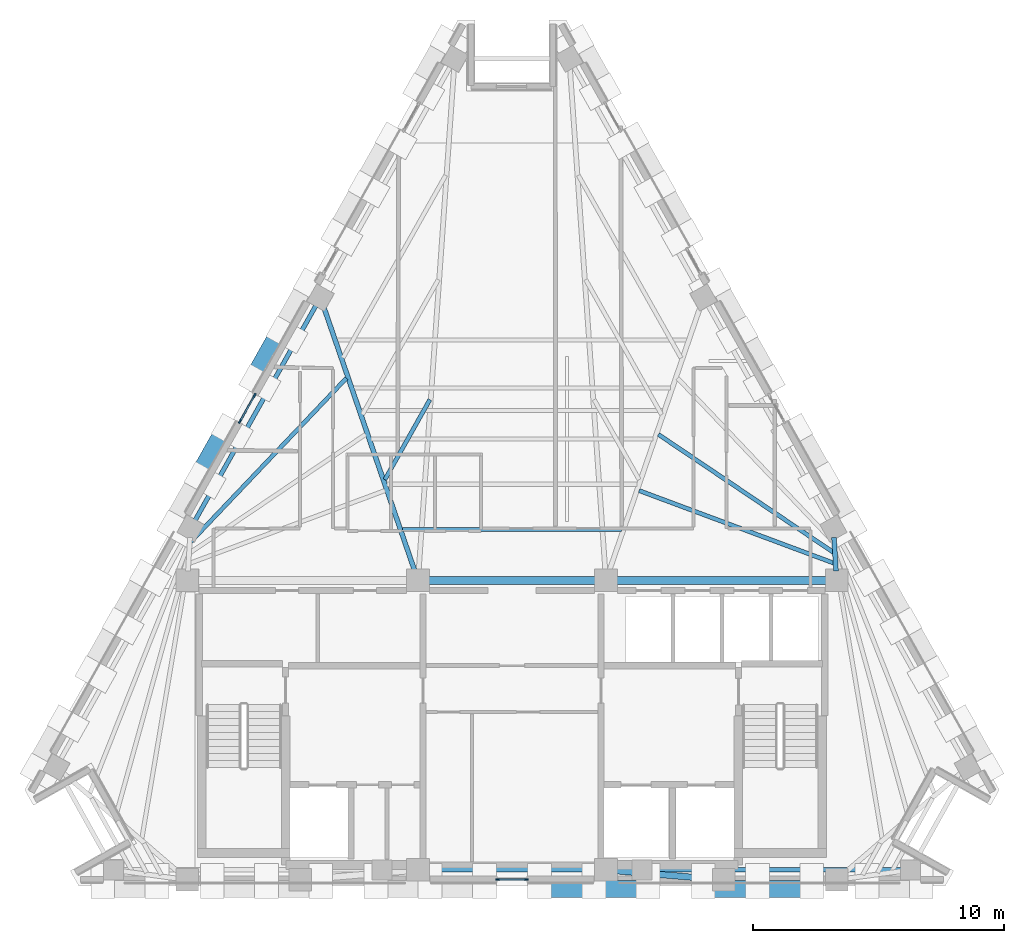
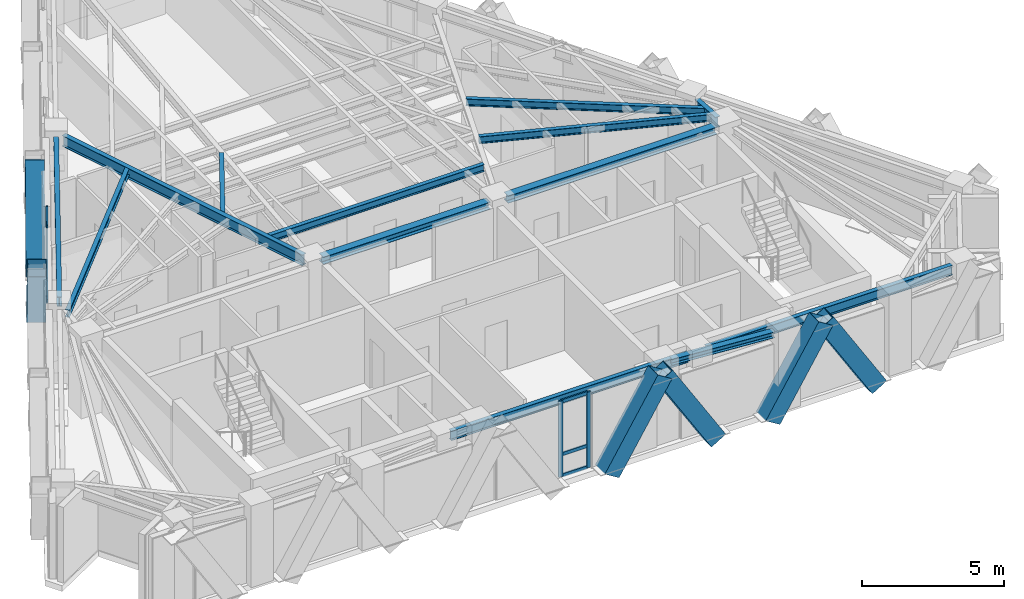
# One storey, part 2 of 9: 16 members, 13 beams, 2 elements without a shape of their own.
"""IFC4 building model written with IfcOpenShell, lengths in metres."""

import ifcopenshell
import ifcopenshell.guid

model = None  # the IFC model being written
_history = None  # IfcOwnerHistory: only IFC2X3 demands one
_inside = {}  # id of a spatial element -> (the spatial element, [elements in it])
_under = {}  # id of a project, library or spatial element -> (it, [spatial elements below it])
_declared = {}  # id of a project -> (the project, [libraries it declares])
_typed = {}  # id of a type object -> (the type object, [elements of that type])
_made_of = {}  # id of a material, layer set ... -> (it, [elements and type objects made of it])


def new_model(schema):
    """Start an empty IFC model of exactly this schema.

    Asked for "IFC4X3", IfcOpenShell would pick the latest addendum, in which some entities
    have other attributes; the version numbers below select the first issue.
    IFC2X3 requires an IfcOwnerHistory on every rooted entity: one is made here for all.
    """
    global model, _history
    if schema == "IFC4X3":
        model = ifcopenshell.file(schema_version=(4, 3, 0, 0))
    else:
        model = ifcopenshell.file(schema=schema)
    _inside.clear()
    _under.clear()
    _declared.clear()
    _typed.clear()
    _made_of.clear()
    _history = None
    if model.schema == "IFC2X3":
        org = make("IfcOrganization", Name="unknown")
        user = make(
            "IfcPersonAndOrganization",
            ThePerson=make("IfcPerson", FamilyName="unknown"),
            TheOrganization=org,
        )
        app = make(
            "IfcApplication",
            ApplicationDeveloper=org,
            Version="unknown",
            ApplicationFullName="unknown",
            ApplicationIdentifier="unknown",
        )
        _history = make(
            "IfcOwnerHistory",
            OwningUser=user,
            OwningApplication=app,
            ChangeAction="ADDED",
            CreationDate=0,
        )
    return model


def make(cls, **values):
    """One entity of the class cls with the attributes given. An attribute that is None is left unset."""
    return model.create_entity(
        cls, **{name: value for name, value in values.items() if value is not None}
    )


def rooted(cls, **values):
    """An entity with a GlobalId (a new one), such as an element, a storey or a relation."""
    return make(cls, GlobalId=ifcopenshell.guid.new(), OwnerHistory=_history, **values)


def si_unit(unit_type, name, prefix=None):
    """IfcSIUnit, for example si_unit("LENGTHUNIT", "METRE", prefix="MILLI")."""
    return make("IfcSIUnit", UnitType=unit_type, Prefix=prefix, Name=name)


def assignment(units):
    """IfcUnitAssignment: the units of a project."""
    return None if units is None else make("IfcUnitAssignment", Units=units)


def point(xyz):
    """IfcCartesianPoint."""
    return None if xyz is None else make("IfcCartesianPoint", Coordinates=xyz)


def direction(xyz):
    """IfcDirection."""
    return None if xyz is None else make("IfcDirection", DirectionRatios=xyz)


def frame(location, z_axis=None, x_axis=None):
    """IfcAxis2Placement3D, a coordinate frame: its origin and axes. An axis left out is left unset."""
    return make(
        "IfcAxis2Placement3D",
        Location=point(location),
        Axis=direction(z_axis),
        RefDirection=direction(x_axis),
    )


def frame_2d(location, x_axis=None):
    """IfcAxis2Placement2D, a coordinate frame in the plane: its origin and x axis."""
    return make(
        "IfcAxis2Placement2D", Location=point(location), RefDirection=direction(x_axis)
    )


def origin():
    """The frame at (0, 0, 0) with its axes left unset."""
    return frame((0.0, 0.0, 0.0))


def origin_2d():
    """The frame at (0, 0) in the plane with its x axis left unset."""
    return frame_2d((0.0, 0.0))


def place(relative_to, where):
    """IfcLocalPlacement: puts the frame where relative to a parent placement (None: the world)."""
    return make(
        "IfcLocalPlacement", PlacementRelTo=relative_to, RelativePlacement=where
    )


def context(
    kind, dimensions, precision=None, world=None, true_north=None, identifier=None
):
    """IfcGeometricRepresentationContext, for example the 3D "Model" context."""
    return make(
        "IfcGeometricRepresentationContext",
        ContextIdentifier=identifier,
        ContextType=kind,
        CoordinateSpaceDimension=dimensions,
        Precision=precision,
        WorldCoordinateSystem=world,
        TrueNorth=true_north,
    )


def subcontext(parent, identifier, kind, view, scale=None):
    """IfcGeometricRepresentationSubContext, for example "Body" below "Model"."""
    return make(
        "IfcGeometricRepresentationSubContext",
        ContextIdentifier=identifier,
        ContextType=kind,
        ParentContext=parent,
        TargetScale=scale,
        TargetView=view,
    )


def project(units=None, contexts=None):
    """IfcProject with its units and contexts."""
    return rooted(
        "IfcProject",
        Name="project",
        RepresentationContexts=contexts,
        UnitsInContext=assignment(units),
    )


def spatial(cls, under=None, at=None, **own):
    """A site, building, storey or space (cls), placed at a placement, below another one or the project."""
    s = rooted(cls, ObjectPlacement=at, **own)
    if under is not None:
        _under.setdefault(under.id(), (under, []))[1].append(s)
    return s


def profile(cls, at=None, kind="AREA", **sizes):
    """A parametric profile (cls). Its sizes go by their IFC names, for example OverallWidth=200.0."""
    return make(cls, ProfileType=kind, Position=at, **sizes)


def rectangle(**sizes):
    """IfcRectangleProfileDef."""
    return profile("IfcRectangleProfileDef", **sizes)


def hollow_rectangle(**sizes):
    """IfcRectangleHollowProfileDef."""
    return profile("IfcRectangleHollowProfileDef", **sizes)


def i_section(**sizes):
    """IfcIShapeProfileDef."""
    return profile("IfcIShapeProfileDef", **sizes)


def extrude(swept, where, along, depth):
    """IfcExtrudedAreaSolid: the profile swept, set in the frame where, extruded along a direction by depth."""
    return make(
        "IfcExtrudedAreaSolid",
        SweptArea=swept,
        Position=where,
        ExtrudedDirection=direction(along),
        Depth=depth,
    )


def shape(context_of_items, identifier, shape_type, items):
    """IfcShapeRepresentation: the items that make up one representation, for example the "Body"."""
    return make(
        "IfcShapeRepresentation",
        ContextOfItems=context_of_items,
        RepresentationIdentifier=identifier,
        RepresentationType=shape_type,
        Items=items,
    )


def material(Name=None, Category=None):
    """IfcMaterial."""
    return make("IfcMaterial", Name=Name, Category=Category)


def material_profile(
    of_material, cross_section, Name=None, Category=None, Priority=None
):
    """IfcMaterialProfile: a cross section and its material."""
    return make(
        "IfcMaterialProfile",
        Name=Name,
        Material=of_material,
        Profile=cross_section,
        Priority=Priority,
        Category=Category,
    )


def profile_set(profiles, Name=None, composite=None):
    """IfcMaterialProfileSet."""
    return make(
        "IfcMaterialProfileSet",
        Name=Name,
        MaterialProfiles=profiles,
        CompositeProfile=composite,
    )


def made_of(thing, what):
    """Note that an element or type object is made of a material, layer set ...; save() writes the relation."""
    if what is not None:
        _made_of.setdefault(what.id(), (what, []))[1].append(thing)
    return thing


def type_object(cls, material=None, **own):
    """A type object (cls), such as IfcWallType, which elements share."""
    return made_of(rooted(cls, **own), material)


def element(
    cls,
    number,
    at=None,
    inside=None,
    cuts=None,
    type_object=None,
    material=None,
    context=None,
    identifier="Body",
    shape_type=None,
    held_by="IfcProductDefinitionShape",
    body=None,
    shapes=None,
    **own,
):
    """One element of the class cls, such as IfcWall. Its Tag is "e" and its number.

    at: its placement. inside: the storey or other place that contains it. cuts: it is an
    opening in that element (IfcRelVoidsElement). A single representation is given by context,
    identifier, shape_type and body (its items); several are given by shapes. held_by: the class
    of the entity that holds the representations. save() writes the other relations.
    """
    e = rooted(cls, Tag="e%d" % number, ObjectPlacement=at, **own)
    if body is not None:
        shapes = [shape(context, identifier, shape_type, body)]
    if shapes is not None:
        e.Representation = make(held_by, Representations=shapes)
    if inside is not None:
        _inside.setdefault(inside.id(), (inside, []))[1].append(e)
    if cuts is not None:
        rooted(
            "IfcRelVoidsElement", RelatingBuildingElement=cuts, RelatedOpeningElement=e
        )
    if type_object is not None:
        _typed.setdefault(type_object.id(), (type_object, []))[1].append(e)
    return made_of(e, material)


def aggregate(whole, parts):
    """IfcRelAggregates: a whole, such as a stair, and the parts it consists of."""
    return rooted("IfcRelAggregates", RelatingObject=whole, RelatedObjects=parts)


def save(model, path):
    """Write the relations noted so far, then the file.

    IfcRelAggregates (storeys below a building ...), IfcRelContainedInSpatialStructure (elements
    in a storey), IfcRelDefinesByType, IfcRelAssociatesMaterial and IfcRelDeclares: one each for
    every whole, place, type object, material and project.
    """
    for whole, parts in _under.values():
        aggregate(whole, parts)
    for where, things in _inside.values():
        rooted(
            "IfcRelContainedInSpatialStructure",
            RelatedElements=things,
            RelatingStructure=where,
        )
    for kind, things in _typed.values():
        rooted("IfcRelDefinesByType", RelatedObjects=things, RelatingType=kind)
    for what, things in _made_of.values():
        rooted("IfcRelAssociatesMaterial", RelatedObjects=things, RelatingMaterial=what)
    for by, libraries in _declared.values():
        rooted("IfcRelDeclares", RelatingContext=by, RelatedDefinitions=libraries)
    model.write(path)


model = new_model("IFC4")

# Units and contexts
model_context = context("Model", 3, precision=1e-05, world=origin(), true_north=direction((0.0, 1.0)))
body_context = subcontext(model_context, "Body", "Model", "MODEL_VIEW")
ifc_project = project(units=[si_unit("LENGTHUNIT", "METRE"), si_unit("AREAUNIT", "SQUARE_METRE"), si_unit("VOLUMEUNIT", "CUBIC_METRE"), si_unit("PLANEANGLEUNIT", "RADIAN"), si_unit("MASSUNIT", "GRAM", prefix="KILO")], contexts=[model_context])

# Site, building, storey
site_placement = place(None, origin())
site = spatial("IfcSite", under=ifc_project, at=site_placement, CompositionType="ELEMENT")
building_placement = place(site_placement, origin())
building = spatial("IfcBuilding", under=site, at=building_placement, Name="Quenlor Broadcast Tower", CompositionType="ELEMENT")
storey_placement = place(building_placement, frame((0.0, 0.0, 235.89990234375)))
storey = spatial("IfcBuildingStorey", under=building, at=storey_placement, Name="L65", CompositionType="ELEMENT", Elevation=235.89990234375)

# Curtain wall, members
ifc_material_1 = material(Name="Architectural Terracotta and Low-E Glazing", Category="masonry")
curtain_wall_type = type_object("IfcCurtainWallType", Name="Unitised Terracotta Curtain Wall System Z5", PredefinedType="NOTDEFINED", material=ifc_material_1)
curtain_wall_1_placement = place(storey_placement, origin())
curtain_wall_1 = element("IfcCurtainWall", 1, at=curtain_wall_1_placement, inside=storey, type_object=curtain_wall_type, Name="L65 Curtain Wall CW5 (L65-S-G1)", PredefinedType="NOTDEFINED")
ifc_material_2 = material(Name="Aluminium 6063-T6", Category="aluminium")
ifc_material_profile_1 = material_profile(ifc_material_2, rectangle(XDim=0.06494140625, YDim=0.169921875, at=origin_2d()))
ifc_profile_set_1 = profile_set([ifc_material_profile_1], Name="Aluminium 6063-T6 MULL65x170")
member_type_1 = type_object("IfcMemberType", Name="CW5 Aluminium Mullion MULL_CW5", PredefinedType="MULLION", material=ifc_profile_set_1)
member_1_placement = place(storey_placement, frame((0.5732421875, -16.72509765625, 0.0), z_axis=(0.0, 0.0, 1.0), x_axis=(0.0, -1.0, 0.0)))
member_1 = element("IfcMember", 2, at=member_1_placement, type_object=member_type_1, Name="CW5 mullion 1", PredefinedType="MULLION", context=body_context, shape_type="SweptSolid", body=[
    extrude(rectangle(XDim=0.06494140625, YDim=0.169921875, at=origin_2d()), origin(), (0.0, 0.0, 1.0), 3.25),
])
member_2_placement = place(storey_placement, frame((-0.5732421875, -16.72509765625, 0.0), z_axis=(0.0, 0.0, 1.0), x_axis=(0.0, -1.0, 0.0)))
member_2 = element("IfcMember", 3, at=member_2_placement, type_object=member_type_1, Name="CW5 mullion 2", PredefinedType="MULLION", context=body_context, shape_type="SweptSolid", body=[
    extrude(rectangle(XDim=0.06494140625, YDim=0.169921875, at=origin_2d()), origin(), (0.0, 0.0, 1.0), 3.25),
])

curtain_wall_2_placement = place(storey_placement, origin())
curtain_wall_2 = element("IfcCurtainWall", 4, at=curtain_wall_2_placement, inside=storey, type_object=curtain_wall_type, Name="L65 Curtain Wall CW5 (L65-NW-G1)", PredefinedType="NOTDEFINED")
member_3_placement = place(storey_placement, frame((-10.853271484375, 1.54443359375, 0.0), z_axis=(0.0, 0.0, 1.0), x_axis=(-0.871592489955, 0.490231100048, 0.0)))
member_3 = element("IfcMember", 5, at=member_3_placement, type_object=member_type_1, Name="CW5 mullion 1", PredefinedType="MULLION", context=body_context, shape_type="SweptSolid", body=[
    extrude(rectangle(XDim=0.06494140625, YDim=0.169921875, at=origin_2d()), origin(), (0.0, 0.0, 1.0), 3.25),
])
member_4_placement = place(storey_placement, frame((-10.267333984375, 2.586181640625, 0.0), z_axis=(0.0, 0.0, 1.0), x_axis=(-0.871592489955, 0.490231100048, 0.0)))
member_4 = element("IfcMember", 6, at=member_4_placement, type_object=member_type_1, Name="CW5 mullion 2", PredefinedType="MULLION", context=body_context, shape_type="SweptSolid", body=[
    extrude(rectangle(XDim=0.06494140625, YDim=0.169921875, at=origin_2d()), origin(), (0.0, 0.0, 1.0), 3.25),
])

# Member
ifc_material_3 = material(Name="Aluminium 6063-T6", Category="aluminium")
ifc_material_profile_2 = material_profile(ifc_material_3, rectangle(XDim=0.06494140625, YDim=0.139892578125, at=origin_2d()))
ifc_profile_set_2 = profile_set([ifc_material_profile_2], Name="Aluminium 6063-T6 TRAN65x140")
member_type_2 = type_object("IfcMemberType", Name="CW5 Aluminium Transom TRAN_CW5", PredefinedType="USERDEFINED", material=ifc_profile_set_2)
member_5_placement = place(storey_placement, frame((0.540771484375, -16.72509765625, 0.03271484375), z_axis=(-1.0, 0.0, 0.0), x_axis=(0.0, -1.0, 0.0)))
member_5 = element("IfcMember", 7, at=member_5_placement, type_object=member_type_2, Name="CW5 transom 1.1", ObjectType="TRANSOM", PredefinedType="USERDEFINED", context=body_context, shape_type="SweptSolid", body=[
    extrude(rectangle(XDim=0.06494140625, YDim=0.139892578125, at=origin_2d()), origin(), (0.0, 0.0, 1.0), 1.08154296875),
])

member_6_placement = place(storey_placement, frame((0.540771484375, -16.72509765625, 0.9501953125), z_axis=(-1.0, 0.0, 0.0), x_axis=(0.0, -1.0, 0.0)))
member_6 = element("IfcMember", 8, at=member_6_placement, type_object=member_type_2, Name="CW5 transom 1.2", ObjectType="TRANSOM", PredefinedType="USERDEFINED", context=body_context, shape_type="SweptSolid", body=[
    extrude(rectangle(XDim=0.06494140625, YDim=0.139892578125, at=origin_2d()), origin(), (0.0, 0.0, 1.0), 1.08154296875),
])

member_7_placement = place(storey_placement, frame((0.540771484375, -16.72509765625, 3.217529296875), z_axis=(-1.0, 0.0, 0.0), x_axis=(0.0, -1.0, 0.0)))
member_7 = element("IfcMember", 9, at=member_7_placement, type_object=member_type_2, Name="CW5 transom 1.3", ObjectType="TRANSOM", PredefinedType="USERDEFINED", context=body_context, shape_type="SweptSolid", body=[
    extrude(rectangle(XDim=0.06494140625, YDim=0.139892578125, at=origin_2d()), origin(), (0.0, 0.0, 1.0), 1.08154296875),
])

aggregate(curtain_wall_1, [member_1, member_2, member_5, member_6, member_7])

member_8_placement = place(storey_placement, frame((-10.83740234375, 1.57275390625, 0.03271484375), z_axis=(0.490312513966, 0.871546693327, 0.0), x_axis=(-0.871546693327, 0.490312513966, 0.0)))
member_8 = element("IfcMember", 10, at=member_8_placement, type_object=member_type_2, Name="CW5 transom 1.1", ObjectType="TRANSOM", PredefinedType="USERDEFINED", context=body_context, shape_type="SweptSolid", body=[
    extrude(rectangle(XDim=0.06494140625, YDim=0.139892578125, at=origin_2d()), origin(), (0.0, 0.0, 1.0), 1.13037109375),
])

member_9_placement = place(storey_placement, frame((-10.83740234375, 1.57275390625, 0.9501953125), z_axis=(0.490312513966, 0.871546693327, 0.0), x_axis=(-0.871546693327, 0.490312513966, 0.0)))
member_9 = element("IfcMember", 11, at=member_9_placement, type_object=member_type_2, Name="CW5 transom 1.2", ObjectType="TRANSOM", PredefinedType="USERDEFINED", context=body_context, shape_type="SweptSolid", body=[
    extrude(rectangle(XDim=0.06494140625, YDim=0.139892578125, at=origin_2d()), origin(), (0.0, 0.0, 1.0), 1.13037109375),
])

member_10_placement = place(storey_placement, frame((-10.83740234375, 1.57275390625, 3.217529296875), z_axis=(0.490312513966, 0.871546693327, 0.0), x_axis=(-0.871546693327, 0.490312513966, 0.0)))
member_10 = element("IfcMember", 12, at=member_10_placement, type_object=member_type_2, Name="CW5 transom 1.3", ObjectType="TRANSOM", PredefinedType="USERDEFINED", context=body_context, shape_type="SweptSolid", body=[
    extrude(rectangle(XDim=0.06494140625, YDim=0.139892578125, at=origin_2d()), origin(), (0.0, 0.0, 1.0), 1.13037109375),
])

aggregate(curtain_wall_2, [member_3, member_4, member_8, member_9, member_10])

# Beams
ifc_material_4 = material(Name="Steel S355", Category="steel")
ifc_material_profile_3 = material_profile(ifc_material_4, i_section(OverallWidth=0.304931640625, OverallDepth=0.30810546875, WebThickness=0.010009765625, FlangeThickness=0.015380859375, FilletRadius=0.0166015625, at=origin_2d()))
ifc_profile_set_3 = profile_set([ifc_material_profile_3], Name="Steel S355 310UC96.8")
beam_type_1 = type_object("IfcBeamType", Name="Core Header Beam Steel S355 310UC96.8", PredefinedType="BEAM", material=ifc_profile_set_3)
beam_1_placement = place(storey_placement, frame((-3.389892578125, -4.800048828125, 3.09619140625), z_axis=(1.0, 0.0, 0.0), x_axis=(0.0, 1.0, 0.0)))
element("IfcBeam", 13, at=beam_1_placement, inside=storey, type_object=beam_type_1, Name="L65 Core Header Beam 2", PredefinedType="BEAM", context=body_context, shape_type="SweptSolid", body=[
    extrude(i_section(OverallWidth=0.304931640625, OverallDepth=0.30810546875, WebThickness=0.010009765625, FlangeThickness=0.015380859375, FilletRadius=0.0166015625, at=origin_2d()), origin(), (0.0, 0.0, 1.0), 6.77978515625),
])
ifc_material_5 = material(Name="Steel S355", Category="steel")
ifc_material_profile_4 = material_profile(ifc_material_5, i_section(OverallWidth=0.25390625, OverallDepth=0.25390625, WebThickness=0.008544921875, FlangeThickness=0.01416015625, FilletRadius=0.013916015625, at=origin_2d()))
ifc_profile_set_4 = profile_set([ifc_material_profile_4], Name="Steel S355 250UC72.9")
beam_type_2 = type_object("IfcBeamType", Name="Core Opening Lintel Beam Steel S355 250UC72.9", PredefinedType="LINTEL", material=ifc_profile_set_4)
beam_2_placement = place(storey_placement, frame((4.108642578125, -16.380615234375, 3.123291015625), z_axis=(0.996399763903, -0.084779186679, 0.0), x_axis=(0.084779186679, 0.996399763903, 0.0)))
element("IfcBeam", 14, at=beam_2_placement, inside=storey, type_object=beam_type_2, Name="L65 Core Opening Lintel Beam 5", PredefinedType="LINTEL", context=body_context, shape_type="SweptSolid", body=[
    extrude(i_section(OverallWidth=0.25390625, OverallDepth=0.25390625, WebThickness=0.008544921875, FlangeThickness=0.01416015625, FilletRadius=0.013916015625, at=origin_2d()), origin(), (0.0, 0.0, 1.0), 3.9970703125),
])
ifc_material_6 = material(Name="Steel S355", Category="steel")
ifc_material_profile_5 = material_profile(ifc_material_6, i_section(OverallWidth=0.306884765625, OverallDepth=0.314697265625, WebThickness=0.011962890625, FlangeThickness=0.018798828125, FilletRadius=0.0166015625, at=origin_2d()))
ifc_profile_set_5 = profile_set([ifc_material_profile_5], Name="Steel S355 310UC118")
beam_type_3 = type_object("IfcBeamType", Name="Core Tie Beam Steel S355 310UC118", PredefinedType="BEAM", material=ifc_profile_set_5)
beam_3_placement = place(storey_placement, frame((4.110107421875, -4.800048828125, 3.0927734375), z_axis=(1.0, 0.0, 0.0), x_axis=(0.0, 1.0, 0.0)))
element("IfcBeam", 15, at=beam_3_placement, inside=storey, type_object=beam_type_3, Name="L65 Core Tie Beam 3", PredefinedType="BEAM", context=body_context, shape_type="SweptSolid", body=[
    extrude(i_section(OverallWidth=0.306884765625, OverallDepth=0.314697265625, WebThickness=0.011962890625, FlangeThickness=0.018798828125, FilletRadius=0.0166015625, at=origin_2d()), origin(), (0.0, 0.0, 1.0), 8.47998046875),
])

# Members
ifc_material_7 = material(Name="Steel S355", Category="steel")
ifc_material_profile_6 = material_profile(ifc_material_7, hollow_rectangle(XDim=0.679931640625, YDim=0.679931640625, WallThickness=0.02001953125, at=origin_2d()))
ifc_profile_set_6 = profile_set([ifc_material_profile_6], Name="Steel S355 RHS680x680x20")
member_type_3 = type_object("IfcMemberType", Name="Perimeter Diagonal Lattice Brace Z5-Crown Steel S355 RHS680x20", PredefinedType="BRACE", material=ifc_profile_set_6)
for number, where, z_axis, x_axis, name in (
    (16, (11.96240234375, -17.1201171875, -0.119873046875), (-0.5236596973, 0.0, 0.851927532965), (0.0, -1.0, 0.0), "L65 Perimeter Diamond Lattice S-C1S"),
    (17, (5.430419921875, -17.1201171875, -0.119873046875), (-0.5236596973, 0.0, 0.851927532965), (0.0, -1.0, 0.0), "L65 Perimeter Diamond Lattice S-C2S"),
):
    element("IfcMember", number, at=place(storey_placement, frame(where, z_axis=z_axis, x_axis=x_axis)), inside=storey, type_object=member_type_3, Name=name, PredefinedType="BRACE", context=body_context, shape_type="SweptSolid", body=[
        extrude(hollow_rectangle(XDim=0.679931640625, YDim=0.679931640625, WallThickness=0.02001953125, at=origin_2d()), origin(), (0.0, 0.0, 1.0), 4.1083984375),
    ])
for number, where, z_axis, x_axis, name in (
    (18, (7.6337890625, -17.1201171875, -0.119873046875), (0.523616565236, 0.0, 0.85195404372), (0.0, 1.0, 0.0), "L65 Perimeter Diamond Lattice S-C2B"),
    (19, (1.101806640625, -17.1201171875, -0.119873046875), (0.523616565236, 0.0, 0.85195404372), (0.0, 1.0, 0.0), "L65 Perimeter Diamond Lattice S-C3B"),
):
    element("IfcMember", number, at=place(storey_placement, frame(where, z_axis=z_axis, x_axis=x_axis)), inside=storey, type_object=member_type_3, Name=name, PredefinedType="BRACE", context=body_context, shape_type="SweptSolid", body=[
        extrude(hollow_rectangle(XDim=0.679931640625, YDim=0.679931640625, WallThickness=0.02001953125, at=origin_2d()), origin(), (0.0, 0.0, 1.0), 4.108154296875),
    ])
for number, where, z_axis, x_axis, name in (
    (20, (-10.35302734375, 3.2392578125, -0.119873046875), (0.260563732169, 0.463283497491, 0.847038926161), (-0.871602253711, 0.49021374045, 0.0), "L65 Perimeter Diamond Lattice NW-C3S"),
    (21, (-11.4560546875, 1.2783203125, -0.119873046875), (-0.260618804175, -0.463276364439, 0.847025884529), (0.8715547569, -0.490298180422, 0.0), "L65 Perimeter Diamond Lattice NW-C3B"),
):
    element("IfcMember", number, at=place(storey_placement, frame(where, z_axis=z_axis, x_axis=x_axis)), inside=storey, type_object=member_type_3, Name=name, PredefinedType="BRACE", context=body_context, shape_type="SweptSolid", body=[
        extrude(hollow_rectangle(XDim=0.679931640625, YDim=0.679931640625, WallThickness=0.02001953125, at=origin_2d()), origin(), (0.0, 0.0, 1.0), 4.132080078125),
    ])

# Beams
ifc_material_8 = material(Name="Steel S355", Category="steel")
ifc_material_profile_7 = material_profile(ifc_material_8, i_section(OverallWidth=0.177978515625, OverallDepth=0.406494140625, WebThickness=0.0078125, FlangeThickness=0.0126953125, FilletRadius=0.011474609375, at=origin_2d()))
ifc_profile_set_7 = profile_set([ifc_material_profile_7], Name="Steel S355 410UB59.7")
beam_type_4 = type_object("IfcBeamType", Name="Perimeter Spandrel Beam Z5 Steel S355 410UB59.7", PredefinedType="SPANDREL", material=ifc_profile_set_7)
beam_4_placement = place(storey_placement, frame((-4.823974609375, -16.35009765625, 3.046875), z_axis=(1.0, 0.0, 0.0), x_axis=(0.0, 1.0, 0.0)))
element("IfcBeam", 22, at=beam_4_placement, inside=storey, type_object=beam_type_4, Name="L65 Spandrel Beam S2-S3", PredefinedType="SPANDREL", context=body_context, shape_type="SweptSolid", body=[
    extrude(i_section(OverallWidth=0.177978515625, OverallDepth=0.406494140625, WebThickness=0.0078125, FlangeThickness=0.0126953125, FilletRadius=0.011474609375, at=origin_2d()), origin(), (0.0, 0.0, 1.0), 9.64794921875),
])
beam_5_placement = place(storey_placement, frame((5.5439453125, -16.35009765625, 3.046875), z_axis=(1.0, 0.0, 0.0), x_axis=(0.0, 1.0, 0.0)))
element("IfcBeam", 23, at=beam_5_placement, inside=storey, type_object=beam_type_4, Name="L65 Spandrel Beam S3-S4", PredefinedType="SPANDREL", context=body_context, shape_type="SweptSolid", body=[
    extrude(i_section(OverallWidth=0.177978515625, OverallDepth=0.406494140625, WebThickness=0.0078125, FlangeThickness=0.0126953125, FilletRadius=0.011474609375, at=origin_2d()), origin(), (0.0, 0.0, 1.0), 9.99365234375),
])
beam_6_placement = place(storey_placement, frame((-7.818115234375, 6.175537109375, 3.046875), z_axis=(-0.49024947634, -0.871582153872, 0.0), x_axis=(0.871582153872, -0.49024947634, 0.0)))
element("IfcBeam", 24, at=beam_6_placement, inside=storey, type_object=beam_type_4, Name="L65 Spandrel Beam NW2-NW3", PredefinedType="SPANDREL", context=body_context, shape_type="SweptSolid", body=[
    extrude(i_section(OverallWidth=0.177978515625, OverallDepth=0.406494140625, WebThickness=0.0078125, FlangeThickness=0.0126953125, FilletRadius=0.011474609375, at=origin_2d()), origin(), (0.0, 0.0, 1.0), 9.853759765625),
])
ifc_material_9 = material(Name="Steel S355", Category="steel")
ifc_material_profile_8 = material_profile(ifc_material_9, i_section(OverallWidth=0.166015625, OverallDepth=0.30712890625, WebThickness=0.006591796875, FlangeThickness=0.01171875, FilletRadius=0.011474609375, at=origin_2d()))
ifc_profile_set_8 = profile_set([ifc_material_profile_8], Name="Steel S355 310UB46.2")
beam_type_5 = type_object("IfcBeamType", Name="Tower Composite Joist Z4-Z5 Steel S355 310UB46.2", PredefinedType="JOIST", material=ifc_profile_set_8)
beam_7_placement = place(storey_placement, frame((-4.37060546875, -2.767822265625, 3.096435546875), z_axis=(1.0, 0.0, 0.0), x_axis=(0.0, 1.0, 0.0)))
element("IfcBeam", 25, at=beam_7_placement, inside=storey, type_object=beam_type_5, Name="L65 Secondary Composite Joist 1", PredefinedType="JOIST", context=body_context, shape_type="SweptSolid", body=[
    extrude(i_section(OverallWidth=0.166015625, OverallDepth=0.30712890625, WebThickness=0.006591796875, FlangeThickness=0.01171875, FilletRadius=0.011474609375, at=origin_2d()), origin(), (0.0, 0.0, 1.0), 8.7412109375),
])
beam_8_placement = place(storey_placement, frame((-12.80517578125, -3.249267578125, 3.096435546875), z_axis=(0.689023306429, 0.724739182877, 0.0), x_axis=(-0.724739182877, 0.689023306429, 0.0)))
element("IfcBeam", 26, at=beam_8_placement, inside=storey, type_object=beam_type_5, Name="L65 Secondary Composite Joist 9", PredefinedType="JOIST", context=body_context, shape_type="SweptSolid", body=[
    extrude(i_section(OverallWidth=0.166015625, OverallDepth=0.30712890625, WebThickness=0.006591796875, FlangeThickness=0.01171875, FilletRadius=0.011474609375, at=origin_2d()), origin(), (0.0, 0.0, 1.0), 8.99560546875),
])
beam_9_placement = place(storey_placement, frame((12.835205078125, -4.108642578125, 3.096435546875), z_axis=(-0.937062080226, 0.349162795559, 0.0), x_axis=(-0.349162795559, -0.937062080226, 0.0)))
element("IfcBeam", 27, at=beam_9_placement, inside=storey, type_object=beam_type_5, Name="L65 Secondary Composite Joist 10", PredefinedType="JOIST", context=body_context, shape_type="SweptSolid", body=[
    extrude(i_section(OverallWidth=0.166015625, OverallDepth=0.30712890625, WebThickness=0.006591796875, FlangeThickness=0.01171875, FilletRadius=0.011474609375, at=origin_2d()), origin(), (0.0, 0.0, 1.0), 8.286376953125),
])
beam_10_placement = place(storey_placement, frame((12.81884765625, -3.67724609375, 3.096435546875), z_axis=(-0.829286301475, 0.558823970661, 0.0), x_axis=(-0.558823970661, -0.829286301475, 0.0)))
element("IfcBeam", 28, at=beam_10_placement, inside=storey, type_object=beam_type_5, Name="L65 Secondary Composite Joist 11", PredefinedType="JOIST", context=body_context, shape_type="SweptSolid", body=[
    extrude(i_section(OverallWidth=0.166015625, OverallDepth=0.30712890625, WebThickness=0.006591796875, FlangeThickness=0.01171875, FilletRadius=0.011474609375, at=origin_2d()), origin(), (0.0, 0.0, 1.0), 8.415771484375),
])
beam_11_placement = place(storey_placement, frame((-3.2763671875, 2.41455078125, 3.096435546875), z_axis=(-0.490258076222, -0.871577316535, 0.0), x_axis=(0.871577316535, -0.490258076222, 0.0)))
element("IfcBeam", 29, at=beam_11_placement, inside=storey, type_object=beam_type_5, Name="L65 Secondary Composite Joist 25", PredefinedType="JOIST", context=body_context, shape_type="SweptSolid", body=[
    extrude(i_section(OverallWidth=0.166015625, OverallDepth=0.30712890625, WebThickness=0.006591796875, FlangeThickness=0.01171875, FilletRadius=0.011474609375, at=origin_2d()), origin(), (0.0, 0.0, 1.0), 3.6640625),
])
ifc_material_10 = material(Name="Steel S355", Category="steel")
ifc_material_profile_9 = material_profile(ifc_material_10, i_section(OverallWidth=0.19091796875, OverallDepth=0.46044921875, WebThickness=0.010009765625, FlangeThickness=0.01611328125, FilletRadius=0.011474609375, at=origin_2d()))
ifc_profile_set_9 = profile_set([ifc_material_profile_9], Name="Steel S355 460UB82.1")
beam_type_6 = type_object("IfcBeamType", Name="Tower Primary Floor Beam Z5 Steel S355 460UB82.1", PredefinedType="BEAM", material=ifc_profile_set_9)
beam_12_placement = place(storey_placement, frame((12.84716796875, -3.086181640625, 3.02001953125), z_axis=(0.059899569349, -0.998204408722, 0.0), x_axis=(0.998204408722, 0.059899569349, 0.0)))
element("IfcBeam", 30, at=beam_12_placement, inside=storey, type_object=beam_type_6, Name="L65 Primary Radial Beam NE2", PredefinedType="BEAM", context=body_context, shape_type="SweptSolid", body=[
    extrude(i_section(OverallWidth=0.19091796875, OverallDepth=0.46044921875, WebThickness=0.010009765625, FlangeThickness=0.01611328125, FilletRadius=0.011474609375, at=origin_2d()), origin(), (0.0, 0.0, 1.0), 1.3369140625),
])
beam_13_placement = place(storey_placement, frame((-7.524169921875, 6.14892578125, 3.02001953125), z_axis=(0.325895297662, -0.945405867848, 0.0), x_axis=(0.945405867848, 0.325895297662, 0.0)))
element("IfcBeam", 31, at=beam_13_placement, inside=storey, type_object=beam_type_6, Name="L65 Primary Radial Beam NW2", PredefinedType="BEAM", context=body_context, shape_type="SweptSolid", body=[
    extrude(i_section(OverallWidth=0.19091796875, OverallDepth=0.46044921875, WebThickness=0.010009765625, FlangeThickness=0.01611328125, FilletRadius=0.011474609375, at=origin_2d()), origin(), (0.0, 0.0, 1.0), 11.201171875),
])

save(model, "model.ifc")
